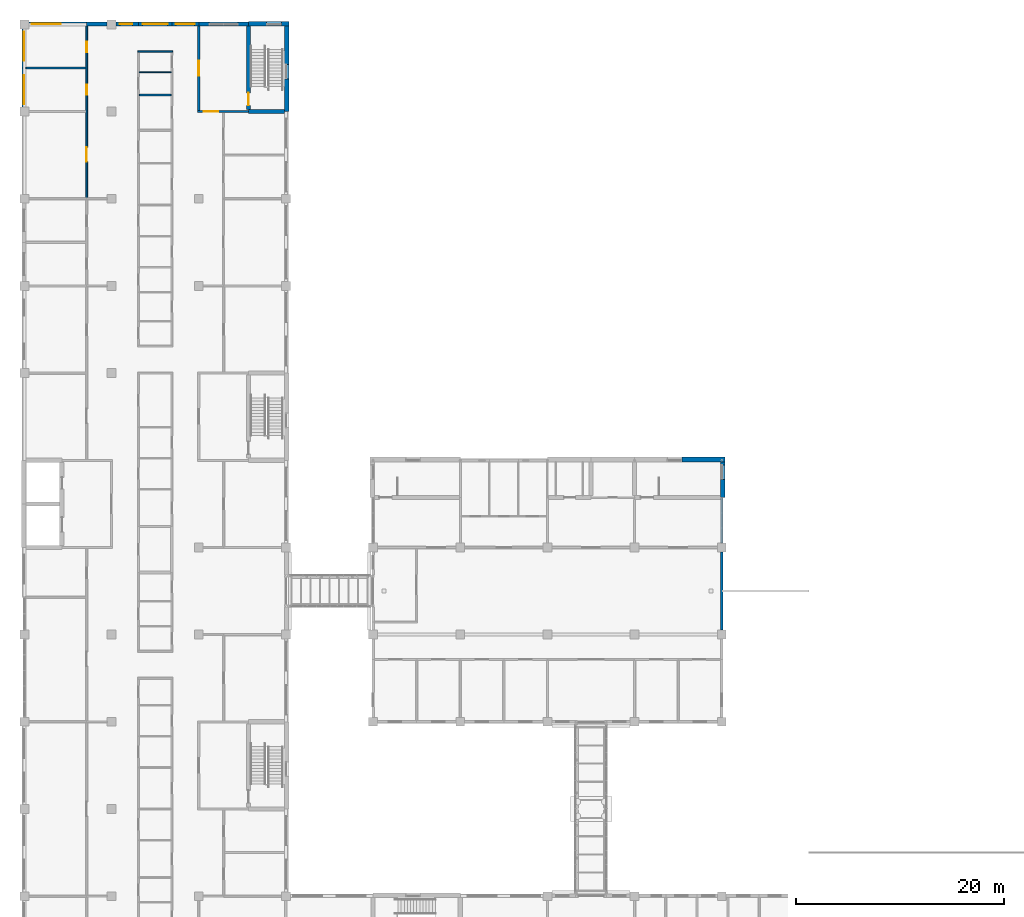
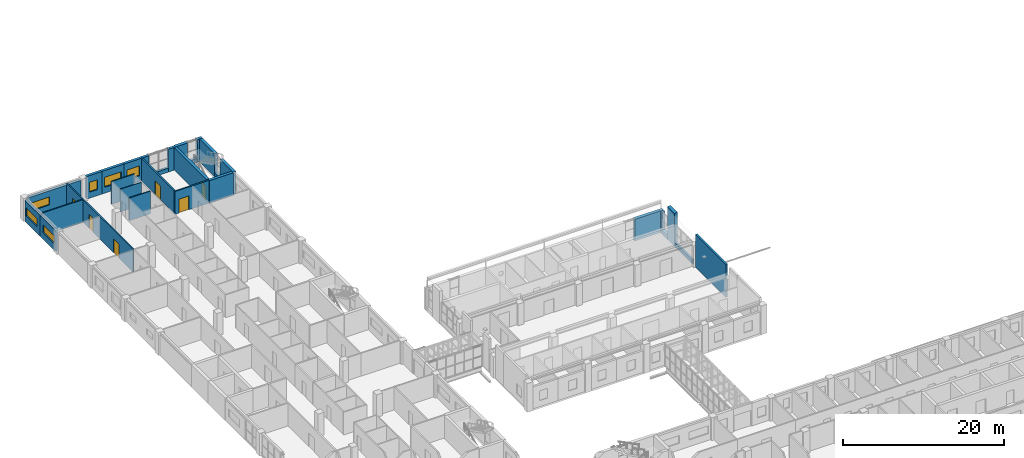
# One storey, part 69 of 94: 31 walls, 6 doors, 6 windows, 12 openings.
"""IFC4 building model written with IfcOpenShell, lengths in metres."""

import ifcopenshell
import ifcopenshell.guid

model = None  # the IFC model being written
_history = None  # IfcOwnerHistory: only IFC2X3 demands one
_inside = {}  # id of a spatial element -> (the spatial element, [elements in it])
_under = {}  # id of a project, library or spatial element -> (it, [spatial elements below it])
_declared = {}  # id of a project -> (the project, [libraries it declares])
_typed = {}  # id of a type object -> (the type object, [elements of that type])
_made_of = {}  # id of a material, layer set ... -> (it, [elements and type objects made of it])


def new_model(schema):
    """Start an empty IFC model of exactly this schema.

    Asked for "IFC4X3", IfcOpenShell would pick the latest addendum, in which some entities
    have other attributes; the version numbers below select the first issue.
    IFC2X3 requires an IfcOwnerHistory on every rooted entity: one is made here for all.
    """
    global model, _history
    if schema == "IFC4X3":
        model = ifcopenshell.file(schema_version=(4, 3, 0, 0))
    else:
        model = ifcopenshell.file(schema=schema)
    _inside.clear()
    _under.clear()
    _declared.clear()
    _typed.clear()
    _made_of.clear()
    _history = None
    if model.schema == "IFC2X3":
        org = make("IfcOrganization", Name="unknown")
        user = make(
            "IfcPersonAndOrganization",
            ThePerson=make("IfcPerson", FamilyName="unknown"),
            TheOrganization=org,
        )
        app = make(
            "IfcApplication",
            ApplicationDeveloper=org,
            Version="unknown",
            ApplicationFullName="unknown",
            ApplicationIdentifier="unknown",
        )
        _history = make(
            "IfcOwnerHistory",
            OwningUser=user,
            OwningApplication=app,
            ChangeAction="ADDED",
            CreationDate=0,
        )
    return model


def make(cls, **values):
    """One entity of the class cls with the attributes given. An attribute that is None is left unset."""
    return model.create_entity(
        cls, **{name: value for name, value in values.items() if value is not None}
    )


def rooted(cls, **values):
    """An entity with a GlobalId (a new one), such as an element, a storey or a relation."""
    return make(cls, GlobalId=ifcopenshell.guid.new(), OwnerHistory=_history, **values)


def si_unit(unit_type, name, prefix=None):
    """IfcSIUnit, for example si_unit("LENGTHUNIT", "METRE", prefix="MILLI")."""
    return make("IfcSIUnit", UnitType=unit_type, Prefix=prefix, Name=name)


def assignment(units):
    """IfcUnitAssignment: the units of a project."""
    return None if units is None else make("IfcUnitAssignment", Units=units)


def point(xyz):
    """IfcCartesianPoint."""
    return None if xyz is None else make("IfcCartesianPoint", Coordinates=xyz)


def direction(xyz):
    """IfcDirection."""
    return None if xyz is None else make("IfcDirection", DirectionRatios=xyz)


def frame(location, z_axis=None, x_axis=None):
    """IfcAxis2Placement3D, a coordinate frame: its origin and axes. An axis left out is left unset."""
    return make(
        "IfcAxis2Placement3D",
        Location=point(location),
        Axis=direction(z_axis),
        RefDirection=direction(x_axis),
    )


def frame_2d(location, x_axis=None):
    """IfcAxis2Placement2D, a coordinate frame in the plane: its origin and x axis."""
    return make(
        "IfcAxis2Placement2D", Location=point(location), RefDirection=direction(x_axis)
    )


def origin():
    """The frame at (0, 0, 0) with its axes left unset."""
    return frame((0.0, 0.0, 0.0))


def place(relative_to, where):
    """IfcLocalPlacement: puts the frame where relative to a parent placement (None: the world)."""
    return make(
        "IfcLocalPlacement", PlacementRelTo=relative_to, RelativePlacement=where
    )


def context(
    kind, dimensions, precision=None, world=None, true_north=None, identifier=None
):
    """IfcGeometricRepresentationContext, for example the 3D "Model" context."""
    return make(
        "IfcGeometricRepresentationContext",
        ContextIdentifier=identifier,
        ContextType=kind,
        CoordinateSpaceDimension=dimensions,
        Precision=precision,
        WorldCoordinateSystem=world,
        TrueNorth=true_north,
    )


def subcontext(parent, identifier, kind, view, scale=None):
    """IfcGeometricRepresentationSubContext, for example "Body" below "Model"."""
    return make(
        "IfcGeometricRepresentationSubContext",
        ContextIdentifier=identifier,
        ContextType=kind,
        ParentContext=parent,
        TargetScale=scale,
        TargetView=view,
    )


def project(units=None, contexts=None):
    """IfcProject with its units and contexts."""
    return rooted(
        "IfcProject",
        Name="project",
        RepresentationContexts=contexts,
        UnitsInContext=assignment(units),
    )


def spatial(cls, under=None, at=None, **own):
    """A site, building, storey or space (cls), placed at a placement, below another one or the project."""
    s = rooted(cls, ObjectPlacement=at, **own)
    if under is not None:
        _under.setdefault(under.id(), (under, []))[1].append(s)
    return s


def profile(cls, at=None, kind="AREA", **sizes):
    """A parametric profile (cls). Its sizes go by their IFC names, for example OverallWidth=200.0."""
    return make(cls, ProfileType=kind, Position=at, **sizes)


def rectangle(**sizes):
    """IfcRectangleProfileDef."""
    return profile("IfcRectangleProfileDef", **sizes)


def extrude(swept, where, along, depth):
    """IfcExtrudedAreaSolid: the profile swept, set in the frame where, extruded along a direction by depth."""
    return make(
        "IfcExtrudedAreaSolid",
        SweptArea=swept,
        Position=where,
        ExtrudedDirection=direction(along),
        Depth=depth,
    )


def shape(context_of_items, identifier, shape_type, items):
    """IfcShapeRepresentation: the items that make up one representation, for example the "Body"."""
    return make(
        "IfcShapeRepresentation",
        ContextOfItems=context_of_items,
        RepresentationIdentifier=identifier,
        RepresentationType=shape_type,
        Items=items,
    )


def material(Name=None, Category=None):
    """IfcMaterial."""
    return make("IfcMaterial", Name=Name, Category=Category)


def layer(
    of_material, thickness, ventilated=None, Name=None, Category=None, Priority=None
):
    """IfcMaterialLayer: one layer of a wall or slab, of a material (None: an air gap)."""
    return make(
        "IfcMaterialLayer",
        Material=of_material,
        LayerThickness=thickness,
        IsVentilated=ventilated,
        Name=Name,
        Category=Category,
        Priority=Priority,
    )


def layer_set(layers, Name=None):
    """IfcMaterialLayerSet."""
    return make("IfcMaterialLayerSet", MaterialLayers=layers, LayerSetName=Name)


def made_of(thing, what):
    """Note that an element or type object is made of a material, layer set ...; save() writes the relation."""
    if what is not None:
        _made_of.setdefault(what.id(), (what, []))[1].append(thing)
    return thing


def type_object(cls, material=None, **own):
    """A type object (cls), such as IfcWallType, which elements share."""
    return made_of(rooted(cls, **own), material)


def element(
    cls,
    number,
    at=None,
    inside=None,
    cuts=None,
    type_object=None,
    material=None,
    context=None,
    identifier="Body",
    shape_type=None,
    held_by="IfcProductDefinitionShape",
    body=None,
    shapes=None,
    **own,
):
    """One element of the class cls, such as IfcWall. Its Tag is "e" and its number.

    at: its placement. inside: the storey or other place that contains it. cuts: it is an
    opening in that element (IfcRelVoidsElement). A single representation is given by context,
    identifier, shape_type and body (its items); several are given by shapes. held_by: the class
    of the entity that holds the representations. save() writes the other relations.
    """
    e = rooted(cls, Tag="e%d" % number, ObjectPlacement=at, **own)
    if body is not None:
        shapes = [shape(context, identifier, shape_type, body)]
    if shapes is not None:
        e.Representation = make(held_by, Representations=shapes)
    if inside is not None:
        _inside.setdefault(inside.id(), (inside, []))[1].append(e)
    if cuts is not None:
        rooted(
            "IfcRelVoidsElement", RelatingBuildingElement=cuts, RelatedOpeningElement=e
        )
    if type_object is not None:
        _typed.setdefault(type_object.id(), (type_object, []))[1].append(e)
    return made_of(e, material)


def fill(opening, filler):
    """IfcRelFillsElement: the door or window that sits in an opening."""
    return rooted(
        "IfcRelFillsElement",
        RelatingOpeningElement=opening,
        RelatedBuildingElement=filler,
    )


def aggregate(whole, parts):
    """IfcRelAggregates: a whole, such as a stair, and the parts it consists of."""
    return rooted("IfcRelAggregates", RelatingObject=whole, RelatedObjects=parts)


def save(model, path):
    """Write the relations noted so far, then the file.

    IfcRelAggregates (storeys below a building ...), IfcRelContainedInSpatialStructure (elements
    in a storey), IfcRelDefinesByType, IfcRelAssociatesMaterial and IfcRelDeclares: one each for
    every whole, place, type object, material and project.
    """
    for whole, parts in _under.values():
        aggregate(whole, parts)
    for where, things in _inside.values():
        rooted(
            "IfcRelContainedInSpatialStructure",
            RelatedElements=things,
            RelatingStructure=where,
        )
    for kind, things in _typed.values():
        rooted("IfcRelDefinesByType", RelatedObjects=things, RelatingType=kind)
    for what, things in _made_of.values():
        rooted("IfcRelAssociatesMaterial", RelatedObjects=things, RelatingMaterial=what)
    for by, libraries in _declared.values():
        rooted("IfcRelDeclares", RelatingContext=by, RelatedDefinitions=libraries)
    model.write(path)


model = new_model("IFC4")

# Units and contexts
model_context = context("Model", 3, precision=1e-05, world=origin(), true_north=direction((0.0, 1.0)))
body_context = subcontext(model_context, "Body", "Model", "MODEL_VIEW")
ifc_project = project(units=[si_unit("LENGTHUNIT", "METRE"), si_unit("AREAUNIT", "SQUARE_METRE"), si_unit("VOLUMEUNIT", "CUBIC_METRE"), si_unit("PLANEANGLEUNIT", "RADIAN"), si_unit("MASSUNIT", "GRAM", prefix="KILO")], contexts=[model_context])

# Site, building, storey
site_placement = place(None, origin())
site = spatial("IfcSite", under=ifc_project, at=site_placement, CompositionType="ELEMENT")
building_placement = place(site_placement, origin())
building = spatial("IfcBuilding", under=site, at=building_placement, Name="Yavir Park General Hospital", CompositionType="ELEMENT")
storey_placement = place(building_placement, frame((0.0, 0.0, 4.5)))
storey = spatial("IfcBuildingStorey", under=building, at=storey_placement, Name="L01", CompositionType="ELEMENT", Elevation=4.5)

# Wall
ifc_material_1 = material(Name="Double-leaf gypsum board acoustic partition on staggered studs")
ifc_layer_1 = layer(ifc_material_1, 0.175048828125)
ifc_layer_set_1 = layer_set([ifc_layer_1], Name="Double-leaf gypsum board acoustic partition on staggered studs")
wall_type_1 = type_object("IfcWallType", Name="Acoustic partition 175", PredefinedType="PARTITIONING", material=ifc_layer_set_1)
wall_1_placement = place(storey_placement, frame((0.14990234375, 113.39990234375, 0.0), z_axis=(0.0, 0.0, 1.0), x_axis=(1.0, 0.0, 0.0)))
element("IfcWall", 1, at=wall_1_placement, inside=storey, type_object=wall_type_1, Name="AP175 L01-272", PredefinedType="PARTITIONING", context=body_context, shape_type="SweptSolid", body=[
    extrude(rectangle(XDim=5.7626953125, YDim=0.175048828125, at=frame_2d((2.88134765625, 0.0))), origin(), (0.0, 0.0, 1.0), 3.449951171875),
])

# Wall, openings, doors
wall_2_placement = place(storey_placement, frame((6.0, 100.887451171875, 0.0), z_axis=(0.0, 0.0, 1.0), x_axis=(0.0, 1.0, 0.0)))
wall_2 = element("IfcWall", 2, at=wall_2_placement, inside=storey, type_object=wall_type_1, Name="AP175 L01-283", PredefinedType="PARTITIONING", context=body_context, shape_type="SweptSolid", body=[
    extrude(rectangle(XDim=16.5625, YDim=0.175048828125, at=frame_2d((8.28125, 0.0))), origin(), (0.0, 0.0, 1.0), 3.449951171875),
])
opening_1_placement = place(wall_2_placement, frame((3.456298828125, 0.0, 0.0)))
opening_1 = element("IfcOpeningElement", 3, at=opening_1_placement, cuts=wall_2, Name="Opening L01.D176", PredefinedType="OPENING", context=body_context, shape_type="SweptSolid", body=[
    extrude(rectangle(XDim=1.39990234375, YDim=2.10009765625, at=frame_2d((0.699951171875, 1.050048828125))), frame((0.0, 0.097412109375, 0.0), z_axis=(0.0, -1.0, 0.0), x_axis=(1.0, 0.0, 0.0)), (0.0, 0.0, 1.0), 0.195068359375),
])
opening_2_placement = place(wall_2_placement, frame((9.91259765625, 0.0, 0.0)))
opening_2 = element("IfcOpeningElement", 4, at=opening_2_placement, cuts=wall_2, Name="Opening L01.D177", PredefinedType="OPENING", context=body_context, shape_type="SweptSolid", body=[
    extrude(rectangle(XDim=1.0, YDim=2.10009765625, at=frame_2d((0.5, 1.050048828125))), frame((0.0, 0.097412109375, 0.0), z_axis=(0.0, -1.0, 0.0), x_axis=(1.0, 0.0, 0.0)), (0.0, 0.0, 1.0), 0.195068359375),
])
opening_3_placement = place(wall_2_placement, frame((14.03759765625, 0.0, 0.0)))
opening_3 = element("IfcOpeningElement", 5, at=opening_3_placement, cuts=wall_2, Name="Opening L01.D178", PredefinedType="OPENING", context=body_context, shape_type="SweptSolid", body=[
    extrude(rectangle(XDim=1.0, YDim=2.10009765625, at=frame_2d((0.5, 1.050048828125))), frame((0.0, 0.097412109375, 0.0), z_axis=(0.0, -1.0, 0.0), x_axis=(1.0, 0.0, 0.0)), (0.0, 0.0, 1.0), 0.195068359375),
])
ifc_material_2 = material(Name="Sealed solid-core acoustic door leaf, Rw 42 dB")
door_type_1 = type_object("IfcDoorType", Name="Acoustic door 1000 x 2100", OperationType="SINGLE_SWING_LEFT", PredefinedType="DOOR", material=ifc_material_2)
door_1_placement = place(opening_2_placement, origin())
door_1 = element("IfcDoor", 6, at=door_1_placement, inside=storey, type_object=door_type_1, Name="L01.D177", OperationType="SINGLE_SWING_RIGHT", OverallHeight=2.10009765625, OverallWidth=1.0, PredefinedType="DOOR", context=body_context, shape_type="SweptSolid", body=[
    extrude(rectangle(XDim=1.0, YDim=2.10009765625, at=frame_2d((0.5, 1.050048828125))), frame((0.0, 0.03515625, 0.0), z_axis=(0.0, -1.0, 0.0), x_axis=(1.0, 0.0, 0.0)), (0.0, 0.0, 1.0), 0.070068359375),
])
fill(opening_2, door_1)
door_2_placement = place(opening_3_placement, origin())
door_2 = element("IfcDoor", 7, at=door_2_placement, inside=storey, type_object=door_type_1, Name="L01.D178", OperationType="SINGLE_SWING_RIGHT", OverallHeight=2.10009765625, OverallWidth=1.0, PredefinedType="DOOR", context=body_context, shape_type="SweptSolid", body=[
    extrude(rectangle(XDim=1.0, YDim=2.10009765625, at=frame_2d((0.5, 1.050048828125))), frame((0.0, 0.03515625, 0.0), z_axis=(0.0, -1.0, 0.0), x_axis=(1.0, 0.0, 0.0)), (0.0, 0.0, 1.0), 0.070068359375),
])
fill(opening_3, door_2)
ifc_material_3 = material(Name="Hollow metal frame, solid-core timber leaf", Category="wood")
door_type_2 = type_object("IfcDoorType", Name="Double swing door 1400 x 2100", OperationType="DOUBLE_DOOR_SINGLE_SWING", PredefinedType="DOOR", material=ifc_material_3)
door_3_placement = place(opening_1_placement, origin())
door_3 = element("IfcDoor", 8, at=door_3_placement, inside=storey, type_object=door_type_2, Name="L01.D176", OperationType="SINGLE_SWING_LEFT", OverallHeight=2.10009765625, OverallWidth=1.39990234375, PredefinedType="DOOR", context=body_context, shape_type="SweptSolid", body=[
    extrude(rectangle(XDim=1.39990234375, YDim=2.10009765625, at=frame_2d((0.699951171875, 1.050048828125))), frame((0.0, 0.02490234375, 0.0), z_axis=(0.0, -1.0, 0.0), x_axis=(1.0, 0.0, 0.0)), (0.0, 0.0, 1.0), 0.050048828125),
])
fill(opening_1, door_3)

# Walls
ifc_material_4 = material(Name="Brick slip cladding on insulated block backing", Category="masonry")
ifc_layer_2 = layer(ifc_material_4, 0.27490234375)
ifc_layer_set_2 = layer_set([ifc_layer_2], Name="Brick slip cladding on insulated block backing")
wall_type_2 = type_object("IfcWallType", Name="Brick slip faced pavilion wall 275, E 30", PredefinedType="SOLIDWALL", material=ifc_layer_set_2)
wall_3_placement = place(storey_placement, frame((67.1875, 59.22509765625, 0.0), z_axis=(0.0, 0.0, 1.0), x_axis=(0.0, 1.0, 0.0)))
element("IfcWall", 9, at=wall_3_placement, inside=storey, type_object=wall_type_2, Name="XW3 L01-188", PredefinedType="SOLIDWALL", context=body_context, shape_type="SweptSolid", body=[
    extrude(rectangle(XDim=7.5498046875, YDim=0.27490234375, at=frame_2d((3.77490234375, 0.0))), origin(), (0.0, 0.0, 1.0), 5.0),
])
wall_4_placement = place(storey_placement, frame((67.1875, 67.625, 0.0), z_axis=(0.0, 0.0, 1.0), x_axis=(0.0, 1.0, 0.0)))
element("IfcWall", 10, at=wall_4_placement, inside=storey, type_object=wall_type_2, Name="XW3 L01-189", PredefinedType="SOLIDWALL", context=body_context, shape_type="SweptSolid", body=[
    extrude(rectangle(XDim=4.375, YDim=0.27490234375, at=frame_2d((2.1875, 0.0))), origin(), (0.0, 0.0, 1.0), 0.60009765625),
])

# Wall, opening, door
ifc_material_5 = material(Name="Double gypsum board fire partition on steel studs", Category="steel")
ifc_layer_3 = layer(ifc_material_5, 0.199951171875)
ifc_layer_set_3 = layer_set([ifc_layer_3], Name="Double gypsum board fire partition on steel studs")
wall_type_3 = type_object("IfcWallType", Name="Fire-rated partition 200, EI 60", PredefinedType="PARTITIONING", material=ifc_layer_set_3)
wall_5_placement = place(storey_placement, frame((16.699951171875, 109.199951171875, 0.0), z_axis=(0.0, 0.0, 1.0), x_axis=(1.0, 0.0, 0.0)))
wall_5 = element("IfcWall", 11, at=wall_5_placement, inside=storey, type_object=wall_type_3, Name="FP20 L01-264", PredefinedType="PARTITIONING", context=body_context, shape_type="SweptSolid", body=[
    extrude(rectangle(XDim=4.900146484375, YDim=0.199951171875, at=frame_2d((2.4501953125, 0.0))), origin(), (0.0, 0.0, 1.0), 3.449951171875),
])
opening_4_placement = place(wall_5_placement, frame((0.60009765625, 0.0, 0.0)))
opening_4 = element("IfcOpeningElement", 12, at=opening_4_placement, cuts=wall_5, Name="Opening L01.D164", PredefinedType="OPENING", context=body_context, shape_type="SweptSolid", body=[
    extrude(rectangle(XDim=1.39990234375, YDim=2.10009765625, at=frame_2d((0.699951171875, 1.050048828125))), frame((0.0, 0.10986328125, 0.0), z_axis=(0.0, -1.0, 0.0), x_axis=(1.0, 0.0, 0.0)), (0.0, 0.0, 1.0), 0.219970703125),
])
ifc_material_6 = material(Name="Steel frame, fire-resisting leaves with vision panels", Category="steel")
door_type_3 = type_object("IfcDoorType", Name="Double fire door with vision panels 1400 x 2100, EI 60", OperationType="DOUBLE_DOOR_SINGLE_SWING", PredefinedType="DOOR", material=ifc_material_6)
door_4_placement = place(opening_4_placement, origin())
door_4 = element("IfcDoor", 13, at=door_4_placement, inside=storey, type_object=door_type_3, Name="L01.D164", OperationType="SINGLE_SWING_RIGHT", OverallHeight=2.10009765625, OverallWidth=1.39990234375, PredefinedType="DOOR", context=body_context, shape_type="SweptSolid", body=[
    extrude(rectangle(XDim=1.39990234375, YDim=2.10009765625, at=frame_2d((0.699951171875, 1.050048828125))), frame((0.0, 0.030029296875, 0.0), z_axis=(0.0, -1.0, 0.0), x_axis=(1.0, 0.0, 0.0)), (0.0, 0.0, 1.0), 0.06005859375),
])
fill(opening_4, door_4)

wall_6_placement = place(storey_placement, frame((16.800048828125, 109.300048828125, 0.0), z_axis=(0.0, 0.0, 1.0), x_axis=(0.0, 1.0, 0.0)))
wall_6 = element("IfcWall", 14, at=wall_6_placement, inside=storey, type_object=wall_type_3, Name="FP20 L01-306", PredefinedType="PARTITIONING", context=body_context, shape_type="SweptSolid", body=[
    extrude(rectangle(XDim=8.14990234375, YDim=0.199951171875, at=frame_2d((4.074951171875, 0.0))), origin(), (0.0, 0.0, 1.0), 3.449951171875),
])
opening_5_placement = place(wall_6_placement, frame((3.375, 0.0, 0.0)))
opening_5 = element("IfcOpeningElement", 15, at=opening_5_placement, cuts=wall_6, Name="Opening L01.D212", PredefinedType="OPENING", context=body_context, shape_type="SweptSolid", body=[
    extrude(rectangle(XDim=1.39990234375, YDim=2.10009765625, at=frame_2d((0.699951171875, 1.050048828125))), frame((0.0, 0.10986328125, 0.0), z_axis=(0.0, -1.0, 0.0), x_axis=(1.0, 0.0, 0.0)), (0.0, 0.0, 1.0), 0.219970703125),
])
door_5_placement = place(opening_5_placement, origin())
door_5 = element("IfcDoor", 16, at=door_5_placement, inside=storey, type_object=door_type_3, Name="L01.D212", OperationType="SINGLE_SWING_LEFT", OverallHeight=2.10009765625, OverallWidth=1.39990234375, PredefinedType="DOOR", context=body_context, shape_type="SweptSolid", body=[
    extrude(rectangle(XDim=1.39990234375, YDim=2.10009765625, at=frame_2d((0.699951171875, 1.050048828125))), frame((0.0, 0.030029296875, 0.0), z_axis=(0.0, -1.0, 0.0), x_axis=(1.0, 0.0, 0.0)), (0.0, 0.0, 1.0), 0.06005859375),
])
fill(opening_5, door_5)

# Walls
ifc_material_7 = material(Name="Gypsum board partition on steel studs", Category="steel")
ifc_layer_4 = layer(ifc_material_7, 0.10009765625)
ifc_layer_set_4 = layer_set([ifc_layer_4], Name="Gypsum board partition on steel studs")
wall_type_4 = type_object("IfcWallType", Name="Gypsum board partition 100", PredefinedType="PARTITIONING", material=ifc_layer_set_4)
wall_7_placement = place(storey_placement, frame((11.074951171875, 113.0, 0.0), z_axis=(0.0, 0.0, 1.0), x_axis=(1.0, 0.0, 0.0)))
element("IfcWall", 17, at=wall_7_placement, inside=storey, type_object=wall_type_4, Name="P10 L01-271", PredefinedType="PARTITIONING", context=body_context, shape_type="SweptSolid", body=[
    extrude(rectangle(XDim=3.050048828125, YDim=0.10009765625, at=frame_2d((1.52490234375, 0.0))), origin(), (0.0, 0.0, 1.0), 3.449951171875),
])
ifc_material_8 = material(Name="Gypsum board partition on steel studs", Category="steel")
ifc_layer_5 = layer(ifc_material_8, 0.14990234375)
ifc_layer_set_5 = layer_set([ifc_layer_5], Name="Gypsum board partition on steel studs")
wall_type_5 = type_object("IfcWallType", Name="Gypsum board partition 150", PredefinedType="PARTITIONING", material=ifc_layer_set_5)
wall_8_placement = place(storey_placement, frame((11.074951171875, 110.800048828125, 0.0), z_axis=(0.0, 0.0, 1.0), x_axis=(1.0, 0.0, 0.0)))
element("IfcWall", 18, at=wall_8_placement, inside=storey, type_object=wall_type_5, Name="P15 L01-269", PredefinedType="PARTITIONING", context=body_context, shape_type="SweptSolid", body=[
    extrude(rectangle(XDim=3.050048828125, YDim=0.14990234375, at=frame_2d((1.52490234375, 0.0))), origin(), (0.0, 0.0, 1.0), 3.449951171875),
])
wall_9_placement = place(storey_placement, frame((10.925048828125, 115.0, 0.0), z_axis=(0.0, 0.0, 1.0), x_axis=(1.0, 0.0, 0.0)))
element("IfcWall", 19, at=wall_9_placement, inside=storey, type_object=wall_type_5, Name="P15 L01-273", PredefinedType="PARTITIONING", context=body_context, shape_type="SweptSolid", body=[
    extrude(rectangle(XDim=3.349853515625, YDim=0.14990234375, at=frame_2d((1.6748046875, 0.0))), origin(), (0.0, 0.0, 1.0), 3.449951171875),
])

# Wall, opening, window
ifc_material_9 = material(Name="Autoclaved aerated block, 150 mm mineral wool and sand-coloured mineral render")
ifc_layer_6 = layer(ifc_material_9, 0.375)
ifc_layer_set_6 = layer_set([ifc_layer_6], Name="Autoclaved aerated block, 150 mm mineral wool and sand-coloured mineral render")
wall_type_6 = type_object("IfcWallType", Name="Mineral render clinical wall 375, E 30", PredefinedType="SOLIDWALL", material=ifc_layer_set_6)
wall_10_placement = place(storey_placement, frame((0.425048828125, 117.637451171875, 0.0), z_axis=(0.0, 0.0, 1.0), x_axis=(1.0, 0.0, 0.0)))
wall_10 = element("IfcWall", 20, at=wall_10_placement, inside=storey, type_object=wall_type_6, Name="XW1 L01-112", PredefinedType="SOLIDWALL", context=body_context, shape_type="SweptSolid", body=[
    extrude(rectangle(XDim=5.574951171875, YDim=0.375, at=frame_2d((2.78759765625, 0.0))), origin(), (0.0, 0.0, 1.0), 3.14990234375),
])
opening_6_placement = place(wall_10_placement, frame((0.27490234375, 0.0, 1.0)))
opening_6 = element("IfcOpeningElement", 21, at=opening_6_placement, cuts=wall_10, Name="Opening WRB", PredefinedType="OPENING", context=body_context, shape_type="SweptSolid", body=[
    extrude(rectangle(XDim=2.800048828125, YDim=1.199951171875, at=frame_2d((1.39990234375, 0.60009765625))), frame((0.0, 0.197509765625, 0.0), z_axis=(0.0, -1.0, 0.0), x_axis=(1.0, 0.0, 0.0)), (0.0, 0.0, 1.0), 0.39501953125),
])
ifc_material_10 = material(Name="Aluminium frame, double glazed unit", Category="aluminium")
window_type_1 = type_object("IfcWindowType", Name="Ribbon window 2800 x 1200", PartitioningType="DOUBLE_PANEL_VERTICAL", PredefinedType="WINDOW", material=ifc_material_10)
window_1_placement = place(opening_6_placement, origin())
window_1 = element("IfcWindow", 22, at=window_1_placement, inside=storey, type_object=window_type_1, Name="WRB L01-065", OverallHeight=1.199951171875, OverallWidth=2.800048828125, PartitioningType="DOUBLE_PANEL_VERTICAL", PredefinedType="WINDOW", context=body_context, shape_type="SweptSolid", body=[
    extrude(rectangle(XDim=2.800048828125, YDim=1.199951171875, at=frame_2d((1.39990234375, 0.60009765625))), frame((0.0, 0.030029296875, 0.0), z_axis=(0.0, -1.0, 0.0), x_axis=(1.0, 0.0, 0.0)), (0.0, 0.0, 1.0), 0.06005859375),
])
fill(opening_6, window_1)

# Wall
wall_11_placement = place(storey_placement, frame((6.0, 117.637451171875, 0.0), z_axis=(0.0, 0.0, 1.0), x_axis=(1.0, 0.0, 0.0)))
element("IfcWall", 23, at=wall_11_placement, inside=storey, type_object=wall_type_6, Name="XW1 L01-113", PredefinedType="SOLIDWALL", context=body_context, shape_type="SweptSolid", body=[
    extrude(rectangle(XDim=1.97509765625, YDim=0.375, at=frame_2d((0.987548828125, 0.0))), origin(), (0.0, 0.0, 1.0), 3.14990234375),
])

# Wall, opening, window
wall_12_placement = place(storey_placement, frame((8.824951171875, 117.637451171875, 0.0), z_axis=(0.0, 0.0, 1.0), x_axis=(1.0, 0.0, 0.0)))
wall_12 = element("IfcWall", 24, at=wall_12_placement, inside=storey, type_object=wall_type_6, Name="XW1 L01-114", PredefinedType="SOLIDWALL", context=body_context, shape_type="SweptSolid", body=[
    extrude(rectangle(XDim=2.175048828125, YDim=0.375, at=frame_2d((1.08740234375, 0.0))), origin(), (0.0, 0.0, 1.0), 3.449951171875),
])
opening_7_placement = place(wall_12_placement, frame((0.375, 0.0, 0.89990234375)))
opening_7 = element("IfcOpeningElement", 25, at=opening_7_placement, cuts=wall_12, Name="Opening WD", PredefinedType="OPENING", context=body_context, shape_type="SweptSolid", body=[
    extrude(rectangle(XDim=1.199951171875, YDim=1.5, at=frame_2d((0.60009765625, 0.75))), frame((0.0, 0.197509765625, 0.0), z_axis=(0.0, -1.0, 0.0), x_axis=(1.0, 0.0, 0.0)), (0.0, 0.0, 1.0), 0.39501953125),
])
ifc_material_11 = material(Name="Aluminium frame, double glazed unit", Category="aluminium")
window_type_2 = type_object("IfcWindowType", Name="Office window 1200 x 1500", PartitioningType="SINGLE_PANEL", PredefinedType="WINDOW", material=ifc_material_11)
window_2_placement = place(opening_7_placement, origin())
window_2 = element("IfcWindow", 26, at=window_2_placement, inside=storey, type_object=window_type_2, Name="WD L01-066", OverallHeight=1.5, OverallWidth=1.199951171875, PartitioningType="SINGLE_PANEL", PredefinedType="WINDOW", context=body_context, shape_type="SweptSolid", body=[
    extrude(rectangle(XDim=1.199951171875, YDim=1.5, at=frame_2d((0.60009765625, 0.75))), frame((0.0, 0.030029296875, 0.0), z_axis=(0.0, -1.0, 0.0), x_axis=(1.0, 0.0, 0.0)), (0.0, 0.0, 1.0), 0.06005859375),
])
fill(opening_7, window_2)

wall_13_placement = place(storey_placement, frame((11.0, 117.637451171875, 0.0), z_axis=(0.0, 0.0, 1.0), x_axis=(1.0, 0.0, 0.0)))
wall_13 = element("IfcWall", 27, at=wall_13_placement, inside=storey, type_object=wall_type_6, Name="XW1 L01-115", PredefinedType="SOLIDWALL", context=body_context, shape_type="SweptSolid", body=[
    extrude(rectangle(XDim=3.199951171875, YDim=0.375, at=frame_2d((1.60009765625, 0.0))), origin(), (0.0, 0.0, 1.0), 3.449951171875),
])
opening_8_placement = place(wall_13_placement, frame((0.39990234375, 0.0, 0.89990234375)))
opening_8 = element("IfcOpeningElement", 28, at=opening_8_placement, cuts=wall_13, Name="Opening WF", PredefinedType="OPENING", context=body_context, shape_type="SweptSolid", body=[
    extrude(rectangle(XDim=2.39990234375, YDim=1.5, at=frame_2d((1.199951171875, 0.75))), frame((0.0, 0.197509765625, 0.0), z_axis=(0.0, -1.0, 0.0), x_axis=(1.0, 0.0, 0.0)), (0.0, 0.0, 1.0), 0.39501953125),
])
ifc_material_12 = material(Name="Aluminium frame, double glazed unit", Category="aluminium")
window_type_3 = type_object("IfcWindowType", Name="Corridor end window 2400 x 1500", PartitioningType="DOUBLE_PANEL_VERTICAL", PredefinedType="WINDOW", material=ifc_material_12)
window_3_placement = place(opening_8_placement, origin())
window_3 = element("IfcWindow", 29, at=window_3_placement, inside=storey, type_object=window_type_3, Name="WF L01-067", OverallHeight=1.5, OverallWidth=2.39990234375, PartitioningType="DOUBLE_PANEL_VERTICAL", PredefinedType="WINDOW", context=body_context, shape_type="SweptSolid", body=[
    extrude(rectangle(XDim=2.39990234375, YDim=1.5, at=frame_2d((1.199951171875, 0.75))), frame((0.0, 0.030029296875, 0.0), z_axis=(0.0, -1.0, 0.0), x_axis=(1.0, 0.0, 0.0)), (0.0, 0.0, 1.0), 0.06005859375),
])
fill(opening_8, window_3)

wall_14_placement = place(storey_placement, frame((14.199951171875, 117.637451171875, 0.0), z_axis=(0.0, 0.0, 1.0), x_axis=(1.0, 0.0, 0.0)))
wall_14 = element("IfcWall", 30, at=wall_14_placement, inside=storey, type_object=wall_type_6, Name="XW1 L01-116", PredefinedType="SOLIDWALL", context=body_context, shape_type="SweptSolid", body=[
    extrude(rectangle(XDim=2.60009765625, YDim=0.375, at=frame_2d((1.300048828125, 0.0))), origin(), (0.0, 0.0, 1.0), 3.449951171875),
])
opening_9_placement = place(wall_14_placement, frame((0.39990234375, 0.0, 0.89990234375)))
opening_9 = element("IfcOpeningElement", 31, at=opening_9_placement, cuts=wall_14, Name="Opening WG", PredefinedType="OPENING", context=body_context, shape_type="SweptSolid", body=[
    extrude(rectangle(XDim=1.800048828125, YDim=1.5, at=frame_2d((0.89990234375, 0.75))), frame((0.0, 0.197509765625, 0.0), z_axis=(0.0, -1.0, 0.0), x_axis=(1.0, 0.0, 0.0)), (0.0, 0.0, 1.0), 0.39501953125),
])
ifc_material_13 = material(Name="Aluminium frame, double glazed unit", Category="aluminium")
window_type_4 = type_object("IfcWindowType", Name="Single-bay window 1800 x 1500", PartitioningType="DOUBLE_PANEL_VERTICAL", PredefinedType="WINDOW", material=ifc_material_13)
window_4_placement = place(opening_9_placement, origin())
window_4 = element("IfcWindow", 32, at=window_4_placement, inside=storey, type_object=window_type_4, Name="WG L01-068", OverallHeight=1.5, OverallWidth=1.800048828125, PartitioningType="DOUBLE_PANEL_VERTICAL", PredefinedType="WINDOW", context=body_context, shape_type="SweptSolid", body=[
    extrude(rectangle(XDim=1.800048828125, YDim=1.5, at=frame_2d((0.89990234375, 0.75))), frame((0.0, 0.030029296875, 0.0), z_axis=(0.0, -1.0, 0.0), x_axis=(1.0, 0.0, 0.0)), (0.0, 0.0, 1.0), 0.06005859375),
])
fill(opening_9, window_4)

# Walls
for number, where, z_axis, x_axis, name in (
    (33, (16.800048828125, 117.637451171875, 0.0), (0.0, 0.0, 1.0), (1.0, 0.0, 0.0), "XW1 L01-117"),
    (34, (20.60009765625, 117.637451171875, 0.0), (0.0, 0.0, 1.0), (1.0, 0.0, 0.0), "XW1 L01-118"),
):
    element("IfcWall", number, at=place(storey_placement, frame(where, z_axis=z_axis, x_axis=x_axis)), inside=storey, type_object=wall_type_6, Name=name, PredefinedType="SOLIDWALL", context=body_context, shape_type="SweptSolid", body=[
        extrude(rectangle(XDim=1.0, YDim=0.375, at=frame_2d((0.5, 0.0))), origin(), (0.0, 0.0, 1.0), 3.449951171875),
    ])
wall_15_placement = place(storey_placement, frame((17.800048828125, 117.637451171875, 0.0), z_axis=(0.0, 0.0, 1.0), x_axis=(1.0, 0.0, 0.0)))
element("IfcWall", 35, at=wall_15_placement, inside=storey, type_object=wall_type_6, Name="XW1 L01-119", PredefinedType="SOLIDWALL", context=body_context, shape_type="SweptSolid", body=[
    extrude(rectangle(XDim=2.800048828125, YDim=0.375, at=frame_2d((1.39990234375, 0.0))), origin(), (0.0, 0.0, 1.0), 0.60009765625),
])

# Wall, opening, window
wall_16_placement = place(storey_placement, frame((-0.03759765625, 109.625, 0.0), z_axis=(0.0, 0.0, 1.0), x_axis=(0.0, 1.0, 0.0)))
wall_16 = element("IfcWall", 36, at=wall_16_placement, inside=storey, type_object=wall_type_6, Name="XW1 L01-152", PredefinedType="SOLIDWALL", context=body_context, shape_type="SweptSolid", body=[
    extrude(rectangle(XDim=3.77490234375, YDim=0.375, at=frame_2d((1.887451171875, 0.0))), origin(), (0.0, 0.0, 1.0), 3.14990234375),
])
opening_10_placement = place(wall_16_placement, frame((0.27490234375, 0.0, 1.0)))
opening_10 = element("IfcOpeningElement", 37, at=opening_10_placement, cuts=wall_16, Name="Opening WRB", PredefinedType="OPENING", context=body_context, shape_type="SweptSolid", body=[
    extrude(rectangle(XDim=2.800048828125, YDim=1.199951171875, at=frame_2d((1.39990234375, 0.60009765625))), frame((0.0, 0.197509765625, 0.0), z_axis=(0.0, -1.0, 0.0), x_axis=(1.0, 0.0, 0.0)), (0.0, 0.0, 1.0), 0.39501953125),
])
window_5_placement = place(opening_10_placement, origin())
window_5 = element("IfcWindow", 38, at=window_5_placement, inside=storey, type_object=window_type_1, Name="WRB L01-086", OverallHeight=1.199951171875, OverallWidth=2.800048828125, PartitioningType="DOUBLE_PANEL_VERTICAL", PredefinedType="WINDOW", context=body_context, shape_type="SweptSolid", body=[
    extrude(rectangle(XDim=2.800048828125, YDim=1.199951171875, at=frame_2d((1.39990234375, 0.60009765625))), frame((0.0, 0.030029296875, 0.0), z_axis=(0.0, -1.0, 0.0), x_axis=(1.0, 0.0, 0.0)), (0.0, 0.0, 1.0), 0.06005859375),
])
fill(opening_10, window_5)

wall_17_placement = place(storey_placement, frame((-0.03759765625, 113.39990234375, 0.0), z_axis=(0.0, 0.0, 1.0), x_axis=(0.0, 1.0, 0.0)))
wall_17 = element("IfcWall", 39, at=wall_17_placement, inside=storey, type_object=wall_type_6, Name="XW1 L01-153", PredefinedType="SOLIDWALL", context=body_context, shape_type="SweptSolid", body=[
    extrude(rectangle(XDim=3.775146484375, YDim=0.375, at=frame_2d((1.8876953125, 0.0))), origin(), (0.0, 0.0, 1.0), 3.14990234375),
])
opening_11_placement = place(wall_17_placement, frame((0.699951171875, 0.0, 1.0)))
opening_11 = element("IfcOpeningElement", 40, at=opening_11_placement, cuts=wall_17, Name="Opening WRB", PredefinedType="OPENING", context=body_context, shape_type="SweptSolid", body=[
    extrude(rectangle(XDim=2.800048828125, YDim=1.199951171875, at=frame_2d((1.39990234375, 0.60009765625))), frame((0.0, 0.197509765625, 0.0), z_axis=(0.0, -1.0, 0.0), x_axis=(1.0, 0.0, 0.0)), (0.0, 0.0, 1.0), 0.39501953125),
])
window_6_placement = place(opening_11_placement, origin())
window_6 = element("IfcWindow", 41, at=window_6_placement, inside=storey, type_object=window_type_1, Name="WRB L01-087", OverallHeight=1.199951171875, OverallWidth=2.800048828125, PartitioningType="DOUBLE_PANEL_VERTICAL", PredefinedType="WINDOW", context=body_context, shape_type="SweptSolid", body=[
    extrude(rectangle(XDim=2.800048828125, YDim=1.199951171875, at=frame_2d((1.39990234375, 0.60009765625))), frame((0.0, 0.030029296875, 0.0), z_axis=(0.0, -1.0, 0.0), x_axis=(1.0, 0.0, 0.0)), (0.0, 0.0, 1.0), 0.06005859375),
])
fill(opening_11, window_6)

# Wall
ifc_material_14 = material(Name="Concrete C35/45", Category="concrete")
ifc_layer_7 = layer(ifc_material_14, 0.39990234375)
ifc_layer_set_7 = layer_set([ifc_layer_7], Name="Concrete C35/45")
wall_type_7 = type_object("IfcWallType", Name="Reinforced concrete core wall 400, REI 150", PredefinedType="SHEAR", material=ifc_layer_set_7)
wall_18_placement = place(storey_placement, frame((21.60009765625, 109.199951171875, 0.0), z_axis=(0.0, 0.0, 1.0), x_axis=(1.0, 0.0, 0.0)))
element("IfcWall", 42, at=wall_18_placement, inside=storey, type_object=wall_type_7, Name="CW40 L01-265", PredefinedType="SHEAR", context=body_context, shape_type="SweptSolid", body=[
    extrude(rectangle(XDim=3.449951171875, YDim=0.39990234375, at=frame_2d((1.72509765625, 0.0))), origin(), (0.0, 0.0, 1.0), 3.449951171875),
])

# Wall, opening, door
wall_19_placement = place(storey_placement, frame((21.60009765625, 109.39990234375, 0.0), z_axis=(0.0, 0.0, 1.0), x_axis=(0.0, 1.0, 0.0)))
wall_19 = element("IfcWall", 43, at=wall_19_placement, inside=storey, type_object=wall_type_7, Name="CW40 L01-316", PredefinedType="SHEAR", context=body_context, shape_type="SweptSolid", body=[
    extrude(rectangle(XDim=8.050048828125, YDim=0.39990234375, at=frame_2d((4.02490234375, 0.0))), origin(), (0.0, 0.0, 1.0), 3.449951171875),
])
opening_12_placement = place(wall_19_placement, frame((0.39990234375, 0.0, 0.0)))
opening_12 = element("IfcOpeningElement", 44, at=opening_12_placement, cuts=wall_19, Name="Opening L01.D223", PredefinedType="OPENING", context=body_context, shape_type="SweptSolid", body=[
    extrude(rectangle(XDim=1.199951171875, YDim=2.10009765625, at=frame_2d((0.60009765625, 1.050048828125))), frame((0.0, 0.2099609375, 0.0), z_axis=(0.0, -1.0, 0.0), x_axis=(1.0, 0.0, 0.0)), (0.0, 0.0, 1.0), 0.419921875),
])
ifc_material_15 = material(Name="Steel frame, fire-resisting timber leaf", Category="steel")
door_type_4 = type_object("IfcDoorType", Name="Fire door 1200 x 2100, EI 60", OperationType="SINGLE_SWING_LEFT", PredefinedType="DOOR", material=ifc_material_15)
door_6_placement = place(opening_12_placement, origin())
door_6 = element("IfcDoor", 45, at=door_6_placement, inside=storey, type_object=door_type_4, Name="L01.D223", OperationType="SINGLE_SWING_LEFT", OverallHeight=2.10009765625, OverallWidth=1.199951171875, PredefinedType="DOOR", context=body_context, shape_type="SweptSolid", body=[
    extrude(rectangle(XDim=1.199951171875, YDim=2.10009765625, at=frame_2d((0.60009765625, 1.050048828125))), frame((0.0, 0.02490234375, 0.0), z_axis=(0.0, -1.0, 0.0), x_axis=(1.0, 0.0, 0.0)), (0.0, 0.0, 1.0), 0.050048828125),
])
fill(opening_12, door_6)

# Walls
ifc_material_16 = material(Name="Concrete C30/37 precast panel with 150 mm mineral wool insulation", Category="concrete")
ifc_layer_8 = layer(ifc_material_16, 0.449951171875)
ifc_layer_set_8 = layer_set([ifc_layer_8], Name="Concrete C30/37 precast panel with 150 mm mineral wool insulation")
wall_type_8 = type_object("IfcWallType", Name="Stair enclosure wall 450, REI 150", PredefinedType="SOLIDWALL", material=ifc_layer_set_8)
wall_20_placement = place(storey_placement, frame((63.35009765625, 75.675048828125, 0.0), z_axis=(0.0, 0.0, 1.0), x_axis=(1.0, 0.0, 0.0)))
element("IfcWall", 46, at=wall_20_placement, inside=storey, type_object=wall_type_8, Name="XW6 L01-110", PredefinedType="SOLIDWALL", context=body_context, shape_type="SweptSolid", body=[
    extrude(rectangle(XDim=4.14990234375, YDim=0.449951171875, at=frame_2d((2.074951171875, 0.0))), origin(), (0.0, 0.0, 1.0), 3.300048828125),
])
wall_21_placement = place(storey_placement, frame((21.60009765625, 117.675048828125, 0.0), z_axis=(0.0, 0.0, 1.0), x_axis=(1.0, 0.0, 0.0)))
element("IfcWall", 47, at=wall_21_placement, inside=storey, type_object=wall_type_8, Name="XW6 L01-120", PredefinedType="SOLIDWALL", context=body_context, shape_type="SweptSolid", body=[
    extrude(rectangle(XDim=1.75, YDim=0.449951171875, at=frame_2d((0.875, 0.0))), origin(), (0.0, 0.0, 1.0), 3.449951171875),
])
wall_22_placement = place(storey_placement, frame((24.75, 117.675048828125, 0.0), z_axis=(0.0, 0.0, 1.0), x_axis=(1.0, 0.0, 0.0)))
element("IfcWall", 48, at=wall_22_placement, inside=storey, type_object=wall_type_8, Name="XW6 L01-121", PredefinedType="SOLIDWALL", context=body_context, shape_type="SweptSolid", body=[
    extrude(rectangle(XDim=0.75, YDim=0.449951171875, at=frame_2d((0.375, 0.0))), origin(), (0.0, 0.0, 1.0), 3.449951171875),
])
wall_23_placement = place(storey_placement, frame((23.35009765625, 117.675048828125, 0.0), z_axis=(0.0, 0.0, 1.0), x_axis=(1.0, 0.0, 0.0)))
element("IfcWall", 49, at=wall_23_placement, inside=storey, type_object=wall_type_8, Name="XW6 L01-122", PredefinedType="SOLIDWALL", context=body_context, shape_type="SweptSolid", body=[
    extrude(rectangle(XDim=1.39990234375, YDim=0.449951171875, at=frame_2d((0.699951171875, 0.0))), origin(), (0.0, 0.0, 1.0), 0.60009765625),
])
wall_24_placement = place(storey_placement, frame((25.27490234375, 109.199951171875, 0.0), z_axis=(0.0, 0.0, 1.0), x_axis=(0.0, 1.0, 0.0)))
element("IfcWall", 50, at=wall_24_placement, inside=storey, type_object=wall_type_8, Name="XW6 L01-170", PredefinedType="SOLIDWALL", context=body_context, shape_type="SweptSolid", body=[
    extrude(rectangle(XDim=3.150146484375, YDim=0.449951171875, at=frame_2d((1.5751953125, 0.0))), origin(), (0.0, 0.0, 1.0), 3.449951171875),
])
wall_25_placement = place(storey_placement, frame((25.27490234375, 113.75, 0.0), z_axis=(0.0, 0.0, 1.0), x_axis=(0.0, 1.0, 0.0)))
element("IfcWall", 51, at=wall_25_placement, inside=storey, type_object=wall_type_8, Name="XW6 L01-171", PredefinedType="SOLIDWALL", context=body_context, shape_type="SweptSolid", body=[
    extrude(rectangle(XDim=3.699951171875, YDim=0.449951171875, at=frame_2d((1.85009765625, 0.0))), origin(), (0.0, 0.0, 1.0), 3.449951171875),
])
wall_26_placement = place(storey_placement, frame((25.27490234375, 112.35009765625, 0.0), z_axis=(0.0, 0.0, 1.0), x_axis=(0.0, 1.0, 0.0)))
element("IfcWall", 52, at=wall_26_placement, inside=storey, type_object=wall_type_8, Name="XW6 L01-172", PredefinedType="SOLIDWALL", context=body_context, shape_type="SweptSolid", body=[
    extrude(rectangle(XDim=1.39990234375, YDim=0.449951171875, at=frame_2d((0.699951171875, 0.0))), origin(), (0.0, 0.0, 1.0), 0.60009765625),
])
wall_27_placement = place(storey_placement, frame((67.27490234375, 72.0, 0.0), z_axis=(0.0, 0.0, 1.0), x_axis=(0.0, 1.0, 0.0)))
element("IfcWall", 53, at=wall_27_placement, inside=storey, type_object=wall_type_8, Name="XW6 L01-190", PredefinedType="SOLIDWALL", context=body_context, shape_type="SweptSolid", body=[
    extrude(rectangle(XDim=1.75, YDim=0.449951171875, at=frame_2d((0.875, 0.0))), origin(), (0.0, 0.0, 1.0), 5.0),
])
wall_28_placement = place(storey_placement, frame((67.27490234375, 75.14990234375, 0.0), z_axis=(0.0, 0.0, 1.0), x_axis=(0.0, 1.0, 0.0)))
element("IfcWall", 54, at=wall_28_placement, inside=storey, type_object=wall_type_8, Name="XW6 L01-191", PredefinedType="SOLIDWALL", context=body_context, shape_type="SweptSolid", body=[
    extrude(rectangle(XDim=0.300048828125, YDim=0.449951171875, at=frame_2d((0.14990234375, 0.0))), origin(), (0.0, 0.0, 1.0), 3.300048828125),
])
wall_29_placement = place(storey_placement, frame((67.27490234375, 73.75, 0.0), z_axis=(0.0, 0.0, 1.0), x_axis=(0.0, 1.0, 0.0)))
element("IfcWall", 55, at=wall_29_placement, inside=storey, type_object=wall_type_8, Name="XW6 L01-192", PredefinedType="SOLIDWALL", context=body_context, shape_type="SweptSolid", body=[
    extrude(rectangle(XDim=1.39990234375, YDim=0.449951171875, at=frame_2d((0.699951171875, 0.0))), origin(), (0.0, 0.0, 1.0), 0.60009765625),
])

save(model, "model.ifc")
